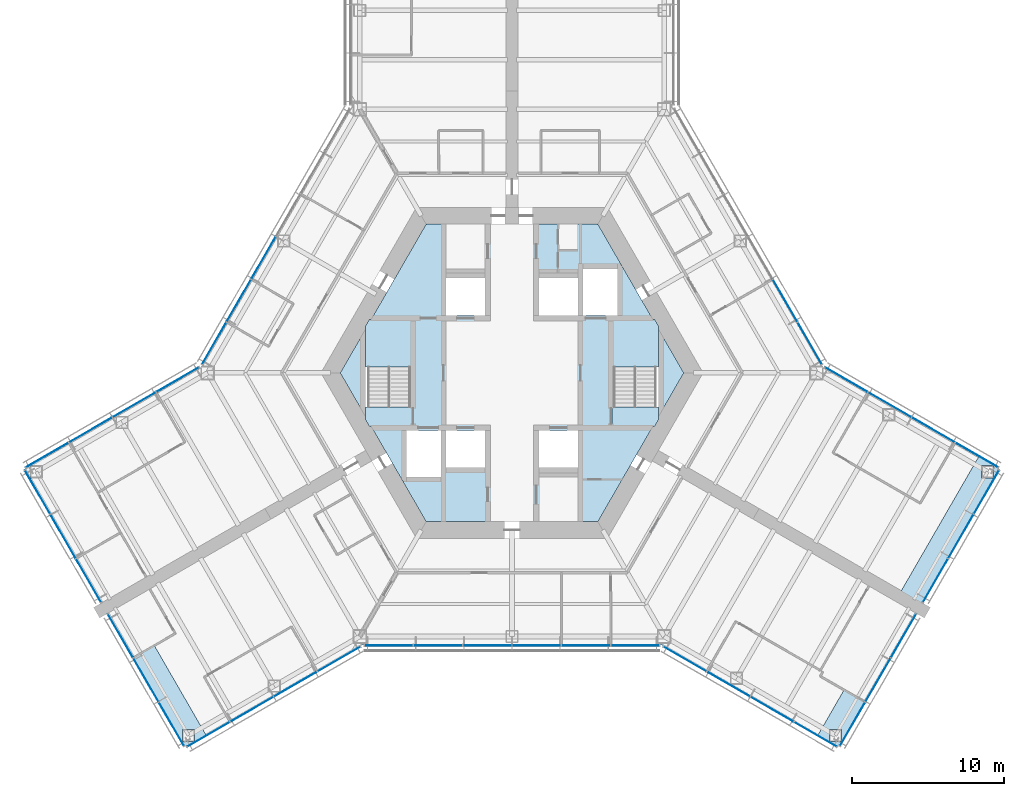
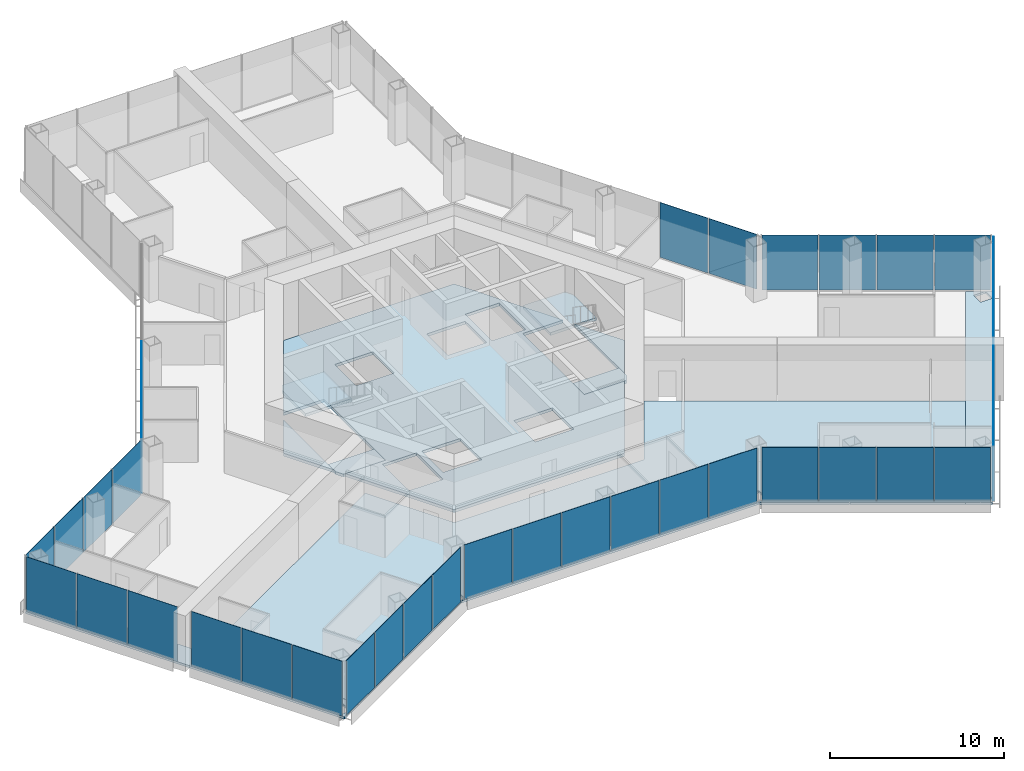
# One storey, part 10 of 18: 39 plates, 10 slabs, 13 elements without a shape of their own.
"""IFC4 building model written with IfcOpenShell, lengths in metres."""

from ifc_helpers import new_model, si_unit, direction, frame, origin, origin_2d, place, context, subcontext, project, spatial, polyline, rectangle, outline, extrude, material, layer, layer_set, type_object, element, aggregate, save


model = new_model("IFC4")

# Units and contexts
model_context = context("Model", 3, precision=1e-05, world=origin(), true_north=direction((0.0, 1.0)))
body_context = subcontext(model_context, "Body", "Model", "MODEL_VIEW")
ifc_project = project(units=[si_unit("LENGTHUNIT", "METRE"), si_unit("AREAUNIT", "SQUARE_METRE"), si_unit("VOLUMEUNIT", "CUBIC_METRE"), si_unit("PLANEANGLEUNIT", "RADIAN"), si_unit("MASSUNIT", "GRAM", prefix="KILO")], contexts=[model_context])

# Site, building, storey
site_placement = place(None, origin())
site = spatial("IfcSite", under=ifc_project, at=site_placement, CompositionType="ELEMENT")
building_placement = place(site_placement, origin())
building = spatial("IfcBuilding", under=site, at=building_placement, Name="Kasaneha Research Tower", CompositionType="ELEMENT")
storey_placement = place(building_placement, frame((0.0, 0.0, 108.0)))
storey = spatial("IfcBuildingStorey", under=building, at=storey_placement, Name="L27", CompositionType="ELEMENT", Elevation=108.0)

# Curtain wall, plates
ifc_material_1 = material(Name="Glass and aluminium", Category="aluminium")
curtain_wall_type = type_object("IfcCurtainWallType", Name="Low-rise office curtain wall", PredefinedType="USERDEFINED", material=ifc_material_1)
curtain_wall_1_placement = place(storey_placement, origin())
curtain_wall_1 = element("IfcCurtainWall", 1, at=curtain_wall_1_placement, inside=storey, type_object=curtain_wall_type, Name="CW-O1 L27 run 01a", ObjectType="UNITISED CURTAIN WALL", PredefinedType="USERDEFINED")
ifc_material_2 = material(Name="Laminated double glazing", Category="glass")
ifc_layer_1 = layer(ifc_material_2, 0.028076171875)
ifc_layer_set_1 = layer_set([ifc_layer_1], Name="CW-O1 glazed panel")
plate_type = type_object("IfcPlateType", Name="CW-O1 glazed panel", PredefinedType="CURTAIN_PANEL", material=ifc_layer_set_1)
plate_1_placement = place(storey_placement, frame((-19.945068359375, -23.755126953125, 0.06005859375), z_axis=(0.0, 0.0, 1.0), x_axis=(0.866025411464, 0.499999986699, 0.0)))
plate_1 = element("IfcPlate", 2, at=plate_1_placement, type_object=plate_type, Name="CW-O1 panel 1", PredefinedType="CURTAIN_PANEL", context=body_context, shape_type="SweptSolid", body=[
    extrude(rectangle(XDim=3.2197265625, YDim=0.028076171875, at=origin_2d()), origin(), (0.0, 0.0, 1.0), 3.840087890625),
])
plate_2_placement = place(storey_placement, frame((-17.091796875, -22.107666015625, 0.06005859375), z_axis=(0.0, 0.0, 1.0), x_axis=(0.866025411464, 0.499999986699, 0.0)))
plate_2 = element("IfcPlate", 3, at=plate_2_placement, type_object=plate_type, Name="CW-O1 panel 2", PredefinedType="CURTAIN_PANEL", context=body_context, shape_type="SweptSolid", body=[
    extrude(rectangle(XDim=3.249755859375, YDim=0.028076171875, at=origin_2d()), origin(), (0.0, 0.0, 1.0), 3.840087890625),
])
plate_3_placement = place(storey_placement, frame((-14.225341796875, -20.452880859375, 0.06005859375), z_axis=(0.0, 0.0, 1.0), x_axis=(0.866025411464, 0.499999986699, 0.0)))
plate_3 = element("IfcPlate", 4, at=plate_3_placement, type_object=plate_type, Name="CW-O1 panel 3", PredefinedType="CURTAIN_PANEL", context=body_context, shape_type="SweptSolid", body=[
    extrude(rectangle(XDim=3.249755859375, YDim=0.028076171875, at=origin_2d()), origin(), (0.0, 0.0, 1.0), 3.840087890625),
])
plate_4_placement = place(storey_placement, frame((-11.3720703125, -18.805419921875, 0.06005859375), z_axis=(0.0, 0.0, 1.0), x_axis=(0.866025411464, 0.499999986699, 0.0)))
plate_4 = element("IfcPlate", 5, at=plate_4_placement, type_object=plate_type, Name="CW-O1 panel 4", PredefinedType="CURTAIN_PANEL", context=body_context, shape_type="SweptSolid", body=[
    extrude(rectangle(XDim=3.2197265625, YDim=0.028076171875, at=origin_2d()), origin(), (0.0, 0.0, 1.0), 3.840087890625),
])
aggregate(curtain_wall_1, [plate_1, plate_2, plate_3, plate_4])

curtain_wall_2_placement = place(storey_placement, origin())
curtain_wall_2 = element("IfcCurtainWall", 6, at=curtain_wall_2_placement, inside=storey, type_object=curtain_wall_type, Name="CW-O1 L27 run 02a", ObjectType="UNITISED CURTAIN WALL", PredefinedType="USERDEFINED")
plate_5_placement = place(storey_placement, frame((-8.10107421875, -17.92041015625, 0.06005859375), z_axis=(0.0, 0.0, 1.0), x_axis=(1.0, 0.0, 0.0)))
plate_5 = element("IfcPlate", 7, at=plate_5_placement, type_object=plate_type, Name="CW-O1 panel 1", PredefinedType="CURTAIN_PANEL", context=body_context, shape_type="SweptSolid", body=[
    extrude(rectangle(XDim=3.156494140625, YDim=0.028076171875, at=origin_2d()), origin(), (0.0, 0.0, 1.0), 3.840087890625),
])
plate_6_placement = place(storey_placement, frame((-4.86962890625, -17.92041015625, 0.06005859375), z_axis=(0.0, 0.0, 1.0), x_axis=(1.0, 0.0, 0.0)))
plate_6 = element("IfcPlate", 8, at=plate_6_placement, type_object=plate_type, Name="CW-O1 panel 2", PredefinedType="CURTAIN_PANEL", context=body_context, shape_type="SweptSolid", body=[
    extrude(rectangle(XDim=3.1865234375, YDim=0.028076171875, at=origin_2d()), origin(), (0.0, 0.0, 1.0), 3.840087890625),
])
plate_7_placement = place(storey_placement, frame((-1.623291015625, -17.92041015625, 0.06005859375), z_axis=(0.0, 0.0, 1.0), x_axis=(1.0, 0.0, 0.0)))
plate_7 = element("IfcPlate", 9, at=plate_7_placement, type_object=plate_type, Name="CW-O1 panel 3", PredefinedType="CURTAIN_PANEL", context=body_context, shape_type="SweptSolid", body=[
    extrude(rectangle(XDim=3.1865234375, YDim=0.028076171875, at=origin_2d()), origin(), (0.0, 0.0, 1.0), 3.840087890625),
])
plate_8_placement = place(storey_placement, frame((1.623291015625, -17.92041015625, 0.06005859375), z_axis=(0.0, 0.0, 1.0), x_axis=(1.0, 0.0, 0.0)))
plate_8 = element("IfcPlate", 10, at=plate_8_placement, type_object=plate_type, Name="CW-O1 panel 4", PredefinedType="CURTAIN_PANEL", context=body_context, shape_type="SweptSolid", body=[
    extrude(rectangle(XDim=3.1865234375, YDim=0.028076171875, at=origin_2d()), origin(), (0.0, 0.0, 1.0), 3.840087890625),
])
plate_9_placement = place(storey_placement, frame((4.86962890625, -17.92041015625, 0.06005859375), z_axis=(0.0, 0.0, 1.0), x_axis=(1.0, 0.0, 0.0)))
plate_9 = element("IfcPlate", 11, at=plate_9_placement, type_object=plate_type, Name="CW-O1 panel 5", PredefinedType="CURTAIN_PANEL", context=body_context, shape_type="SweptSolid", body=[
    extrude(rectangle(XDim=3.1865234375, YDim=0.028076171875, at=origin_2d()), origin(), (0.0, 0.0, 1.0), 3.840087890625),
])
plate_10_placement = place(storey_placement, frame((8.10107421875, -17.92041015625, 0.06005859375), z_axis=(0.0, 0.0, 1.0), x_axis=(1.0, 0.0, 0.0)))
plate_10 = element("IfcPlate", 12, at=plate_10_placement, type_object=plate_type, Name="CW-O1 panel 6", PredefinedType="CURTAIN_PANEL", context=body_context, shape_type="SweptSolid", body=[
    extrude(rectangle(XDim=3.156494140625, YDim=0.028076171875, at=origin_2d()), origin(), (0.0, 0.0, 1.0), 3.840087890625),
])
aggregate(curtain_wall_2, [plate_5, plate_6, plate_7, plate_8, plate_9, plate_10])

curtain_wall_3_placement = place(storey_placement, origin())
curtain_wall_3 = element("IfcCurtainWall", 13, at=curtain_wall_3_placement, inside=storey, type_object=curtain_wall_type, Name="CW-O1 L27 run 03a", ObjectType="UNITISED CURTAIN WALL", PredefinedType="USERDEFINED")
plate_11_placement = place(storey_placement, frame((11.3720703125, -18.805419921875, 0.06005859375), z_axis=(0.0, 0.0, 1.0), x_axis=(0.866025411464, -0.499999986699, 0.0)))
plate_11 = element("IfcPlate", 14, at=plate_11_placement, type_object=plate_type, Name="CW-O1 panel 1", PredefinedType="CURTAIN_PANEL", context=body_context, shape_type="SweptSolid", body=[
    extrude(rectangle(XDim=3.2197265625, YDim=0.028076171875, at=origin_2d()), origin(), (0.0, 0.0, 1.0), 3.840087890625),
])
plate_12_placement = place(storey_placement, frame((14.225341796875, -20.452880859375, 0.06005859375), z_axis=(0.0, 0.0, 1.0), x_axis=(0.866025411464, -0.499999986699, 0.0)))
plate_12 = element("IfcPlate", 15, at=plate_12_placement, type_object=plate_type, Name="CW-O1 panel 2", PredefinedType="CURTAIN_PANEL", context=body_context, shape_type="SweptSolid", body=[
    extrude(rectangle(XDim=3.249755859375, YDim=0.028076171875, at=origin_2d()), origin(), (0.0, 0.0, 1.0), 3.840087890625),
])
plate_13_placement = place(storey_placement, frame((17.091796875, -22.107666015625, 0.06005859375), z_axis=(0.0, 0.0, 1.0), x_axis=(0.866025411464, -0.499999986699, 0.0)))
plate_13 = element("IfcPlate", 16, at=plate_13_placement, type_object=plate_type, Name="CW-O1 panel 3", PredefinedType="CURTAIN_PANEL", context=body_context, shape_type="SweptSolid", body=[
    extrude(rectangle(XDim=3.249755859375, YDim=0.028076171875, at=origin_2d()), origin(), (0.0, 0.0, 1.0), 3.840087890625),
])
plate_14_placement = place(storey_placement, frame((19.945068359375, -23.755126953125, 0.06005859375), z_axis=(0.0, 0.0, 1.0), x_axis=(0.866025411464, -0.499999986699, 0.0)))
plate_14 = element("IfcPlate", 17, at=plate_14_placement, type_object=plate_type, Name="CW-O1 panel 4", PredefinedType="CURTAIN_PANEL", context=body_context, shape_type="SweptSolid", body=[
    extrude(rectangle(XDim=3.2197265625, YDim=0.028076171875, at=origin_2d()), origin(), (0.0, 0.0, 1.0), 3.840087890625),
])
aggregate(curtain_wall_3, [plate_11, plate_12, plate_13, plate_14])

curtain_wall_4_placement = place(storey_placement, origin())
curtain_wall_4 = element("IfcCurtainWall", 18, at=curtain_wall_4_placement, inside=storey, type_object=curtain_wall_type, Name="CW-O1 L27 run 04a", ObjectType="UNITISED CURTAIN WALL", PredefinedType="USERDEFINED")
plate_15_placement = place(storey_placement, frame((22.377197265625, -23.082763671875, 0.06005859375), z_axis=(0.0, 0.0, 1.0), x_axis=(0.500000011442, 0.866025397178, 0.0)))
plate_15 = element("IfcPlate", 19, at=plate_15_placement, type_object=plate_type, Name="CW-O1 panel 1", PredefinedType="CURTAIN_PANEL", context=body_context, shape_type="SweptSolid", body=[
    extrude(rectangle(XDim=3.276611328125, YDim=0.028076171875, at=origin_2d()), origin(), (0.0, 0.0, 1.0), 3.840087890625),
])
plate_16_placement = place(storey_placement, frame((24.052978515625, -20.18017578125, 0.06005859375), z_axis=(0.0, 0.0, 1.0), x_axis=(0.500000011442, 0.866025397178, 0.0)))
plate_16 = element("IfcPlate", 20, at=plate_16_placement, type_object=plate_type, Name="CW-O1 panel 2", PredefinedType="CURTAIN_PANEL", context=body_context, shape_type="SweptSolid", body=[
    extrude(rectangle(XDim=3.306640625, YDim=0.028076171875, at=origin_2d()), origin(), (0.0, 0.0, 1.0), 3.840087890625),
])
plate_17_placement = place(storey_placement, frame((25.728759765625, -17.27734375, 0.06005859375), z_axis=(0.0, 0.0, 1.0), x_axis=(0.500000011442, 0.866025397178, 0.0)))
plate_17 = element("IfcPlate", 21, at=plate_17_placement, type_object=plate_type, Name="CW-O1 panel 3", PredefinedType="CURTAIN_PANEL", context=body_context, shape_type="SweptSolid", body=[
    extrude(rectangle(XDim=3.276611328125, YDim=0.028076171875, at=origin_2d()), origin(), (0.0, 0.0, 1.0), 3.840087890625),
])
aggregate(curtain_wall_4, [plate_15, plate_16, plate_17])

curtain_wall_5_placement = place(storey_placement, origin())
curtain_wall_5 = element("IfcCurtainWall", 22, at=curtain_wall_5_placement, inside=storey, type_object=curtain_wall_type, Name="CW-O1 L27 run 05a", ObjectType="UNITISED CURTAIN WALL", PredefinedType="USERDEFINED")
plate_18_placement = place(storey_placement, frame((27.8271484375, -13.64306640625, 0.06005859375), z_axis=(0.0, 0.0, 1.0), x_axis=(0.500000011442, 0.866025397178, 0.0)))
plate_18 = element("IfcPlate", 23, at=plate_18_placement, type_object=plate_type, Name="CW-O1 panel 1", PredefinedType="CURTAIN_PANEL", context=body_context, shape_type="SweptSolid", body=[
    extrude(rectangle(XDim=3.276611328125, YDim=0.028076171875, at=origin_2d()), origin(), (0.0, 0.0, 1.0), 3.840087890625),
])
plate_19_placement = place(storey_placement, frame((29.5029296875, -10.740478515625, 0.06005859375), z_axis=(0.0, 0.0, 1.0), x_axis=(0.500000011442, 0.866025397178, 0.0)))
plate_19 = element("IfcPlate", 24, at=plate_19_placement, type_object=plate_type, Name="CW-O1 panel 2", PredefinedType="CURTAIN_PANEL", context=body_context, shape_type="SweptSolid", body=[
    extrude(rectangle(XDim=3.306640625, YDim=0.028076171875, at=origin_2d()), origin(), (0.0, 0.0, 1.0), 3.840087890625),
])
plate_20_placement = place(storey_placement, frame((31.1787109375, -7.837890625, 0.06005859375), z_axis=(0.0, 0.0, 1.0), x_axis=(0.500000011442, 0.866025397178, 0.0)))
plate_20 = element("IfcPlate", 25, at=plate_20_placement, type_object=plate_type, Name="CW-O1 panel 3", PredefinedType="CURTAIN_PANEL", context=body_context, shape_type="SweptSolid", body=[
    extrude(rectangle(XDim=3.276611328125, YDim=0.028076171875, at=origin_2d()), origin(), (0.0, 0.0, 1.0), 3.840087890625),
])
aggregate(curtain_wall_5, [plate_18, plate_19, plate_20])

curtain_wall_6_placement = place(storey_placement, origin())
curtain_wall_6 = element("IfcCurtainWall", 26, at=curtain_wall_6_placement, inside=storey, type_object=curtain_wall_type, Name="CW-O1 L27 run 06a", ObjectType="UNITISED CURTAIN WALL", PredefinedType="USERDEFINED")
plate_21_placement = place(storey_placement, frame((30.545166015625, -5.3955078125, 0.06005859375), z_axis=(0.0, 0.0, 1.0), x_axis=(-0.866025411464, 0.499999986699, 0.0)))
plate_21 = element("IfcPlate", 27, at=plate_21_placement, type_object=plate_type, Name="CW-O1 panel 1", PredefinedType="CURTAIN_PANEL", context=body_context, shape_type="SweptSolid", body=[
    extrude(rectangle(XDim=3.2197265625, YDim=0.028076171875, at=origin_2d()), origin(), (0.0, 0.0, 1.0), 3.840087890625),
])
plate_22_placement = place(storey_placement, frame((27.69189453125, -3.748046875, 0.06005859375), z_axis=(0.0, 0.0, 1.0), x_axis=(-0.866025411464, 0.499999986699, 0.0)))
plate_22 = element("IfcPlate", 28, at=plate_22_placement, type_object=plate_type, Name="CW-O1 panel 2", PredefinedType="CURTAIN_PANEL", context=body_context, shape_type="SweptSolid", body=[
    extrude(rectangle(XDim=3.249755859375, YDim=0.028076171875, at=origin_2d()), origin(), (0.0, 0.0, 1.0), 3.840087890625),
])
plate_23_placement = place(storey_placement, frame((24.825439453125, -2.093017578125, 0.06005859375), z_axis=(0.0, 0.0, 1.0), x_axis=(-0.866025411464, 0.499999986699, 0.0)))
plate_23 = element("IfcPlate", 29, at=plate_23_placement, type_object=plate_type, Name="CW-O1 panel 3", PredefinedType="CURTAIN_PANEL", context=body_context, shape_type="SweptSolid", body=[
    extrude(rectangle(XDim=3.249755859375, YDim=0.028076171875, at=origin_2d()), origin(), (0.0, 0.0, 1.0), 3.840087890625),
])
plate_24_placement = place(storey_placement, frame((21.971923828125, -0.44580078125, 0.06005859375), z_axis=(0.0, 0.0, 1.0), x_axis=(-0.866025411464, 0.499999986699, 0.0)))
plate_24 = element("IfcPlate", 30, at=plate_24_placement, type_object=plate_type, Name="CW-O1 panel 4", PredefinedType="CURTAIN_PANEL", context=body_context, shape_type="SweptSolid", body=[
    extrude(rectangle(XDim=3.2197265625, YDim=0.028076171875, at=origin_2d()), origin(), (0.0, 0.0, 1.0), 3.840087890625),
])
aggregate(curtain_wall_6, [plate_21, plate_22, plate_23, plate_24])

curtain_wall_7_placement = place(storey_placement, origin())
curtain_wall_7 = element("IfcCurtainWall", 31, at=curtain_wall_7_placement, inside=storey, type_object=curtain_wall_type, Name="CW-O1 L27 run 07a", ObjectType="UNITISED CURTAIN WALL", PredefinedType="USERDEFINED")
plate_25_placement = place(storey_placement, frame((19.570068359375, 1.944580078125, 0.06005859375), z_axis=(0.0, 0.0, 1.0), x_axis=(-0.49999996188, 0.866025425793, 0.0)))
plate_25 = element("IfcPlate", 32, at=plate_25_placement, type_object=plate_type, Name="CW-O1 panel 1", PredefinedType="CURTAIN_PANEL", context=body_context, shape_type="SweptSolid", body=[
    extrude(rectangle(XDim=3.156494140625, YDim=0.028076171875, at=origin_2d()), origin(), (0.0, 0.0, 1.0), 3.840087890625),
])
plate_26_placement = place(storey_placement, frame((17.954345703125, 4.7431640625, 0.06005859375), z_axis=(0.0, 0.0, 1.0), x_axis=(-0.49999996188, 0.866025425793, 0.0)))
plate_26 = element("IfcPlate", 33, at=plate_26_placement, type_object=plate_type, Name="CW-O1 panel 2", PredefinedType="CURTAIN_PANEL", context=body_context, shape_type="SweptSolid", body=[
    extrude(rectangle(XDim=3.1865234375, YDim=0.028076171875, at=origin_2d()), origin(), (0.0, 0.0, 1.0), 3.840087890625),
])
aggregate(curtain_wall_7, [plate_25, plate_26])

curtain_wall_8_placement = place(storey_placement, origin())
curtain_wall_8 = element("IfcCurtainWall", 34, at=curtain_wall_8_placement, inside=storey, type_object=curtain_wall_type, Name="CW-O1 L27 run 12a", ObjectType="UNITISED CURTAIN WALL", PredefinedType="USERDEFINED")
plate_27_placement = place(storey_placement, frame((-16.331298828125, 7.554443359375, 0.06005859375), z_axis=(0.0, 0.0, 1.0), x_axis=(-0.49999996188, -0.866025425793, 0.0)))
plate_27 = element("IfcPlate", 35, at=plate_27_placement, type_object=plate_type, Name="CW-O1 panel 4", PredefinedType="CURTAIN_PANEL", context=body_context, shape_type="SweptSolid", body=[
    extrude(rectangle(XDim=3.1865234375, YDim=0.028076171875, at=origin_2d()), origin(), (0.0, 0.0, 1.0), 3.840087890625),
])
plate_28_placement = place(storey_placement, frame((-17.954345703125, 4.7431640625, 0.06005859375), z_axis=(0.0, 0.0, 1.0), x_axis=(-0.49999996188, -0.866025425793, 0.0)))
plate_28 = element("IfcPlate", 36, at=plate_28_placement, type_object=plate_type, Name="CW-O1 panel 5", PredefinedType="CURTAIN_PANEL", context=body_context, shape_type="SweptSolid", body=[
    extrude(rectangle(XDim=3.1865234375, YDim=0.028076171875, at=origin_2d()), origin(), (0.0, 0.0, 1.0), 3.840087890625),
])
plate_29_placement = place(storey_placement, frame((-19.570068359375, 1.944580078125, 0.06005859375), z_axis=(0.0, 0.0, 1.0), x_axis=(-0.49999996188, -0.866025425793, 0.0)))
plate_29 = element("IfcPlate", 37, at=plate_29_placement, type_object=plate_type, Name="CW-O1 panel 6", PredefinedType="CURTAIN_PANEL", context=body_context, shape_type="SweptSolid", body=[
    extrude(rectangle(XDim=3.156494140625, YDim=0.028076171875, at=origin_2d()), origin(), (0.0, 0.0, 1.0), 3.840087890625),
])
aggregate(curtain_wall_8, [plate_27, plate_28, plate_29])

curtain_wall_9_placement = place(storey_placement, origin())
curtain_wall_9 = element("IfcCurtainWall", 38, at=curtain_wall_9_placement, inside=storey, type_object=curtain_wall_type, Name="CW-O1 L27 run 13a", ObjectType="UNITISED CURTAIN WALL", PredefinedType="USERDEFINED")
plate_30_placement = place(storey_placement, frame((-21.971923828125, -0.44580078125, 0.06005859375), z_axis=(0.0, 0.0, 1.0), x_axis=(-0.866025411464, -0.499999986699, 0.0)))
plate_30 = element("IfcPlate", 39, at=plate_30_placement, type_object=plate_type, Name="CW-O1 panel 1", PredefinedType="CURTAIN_PANEL", context=body_context, shape_type="SweptSolid", body=[
    extrude(rectangle(XDim=3.2197265625, YDim=0.028076171875, at=origin_2d()), origin(), (0.0, 0.0, 1.0), 3.840087890625),
])
plate_31_placement = place(storey_placement, frame((-24.825439453125, -2.093017578125, 0.06005859375), z_axis=(0.0, 0.0, 1.0), x_axis=(-0.866025411464, -0.499999986699, 0.0)))
plate_31 = element("IfcPlate", 40, at=plate_31_placement, type_object=plate_type, Name="CW-O1 panel 2", PredefinedType="CURTAIN_PANEL", context=body_context, shape_type="SweptSolid", body=[
    extrude(rectangle(XDim=3.249755859375, YDim=0.028076171875, at=origin_2d()), origin(), (0.0, 0.0, 1.0), 3.840087890625),
])
plate_32_placement = place(storey_placement, frame((-27.69189453125, -3.748046875, 0.06005859375), z_axis=(0.0, 0.0, 1.0), x_axis=(-0.866025411464, -0.499999986699, 0.0)))
plate_32 = element("IfcPlate", 41, at=plate_32_placement, type_object=plate_type, Name="CW-O1 panel 3", PredefinedType="CURTAIN_PANEL", context=body_context, shape_type="SweptSolid", body=[
    extrude(rectangle(XDim=3.249755859375, YDim=0.028076171875, at=origin_2d()), origin(), (0.0, 0.0, 1.0), 3.840087890625),
])
plate_33_placement = place(storey_placement, frame((-30.545166015625, -5.3955078125, 0.06005859375), z_axis=(0.0, 0.0, 1.0), x_axis=(-0.866025411464, -0.499999986699, 0.0)))
plate_33 = element("IfcPlate", 42, at=plate_33_placement, type_object=plate_type, Name="CW-O1 panel 4", PredefinedType="CURTAIN_PANEL", context=body_context, shape_type="SweptSolid", body=[
    extrude(rectangle(XDim=3.2197265625, YDim=0.028076171875, at=origin_2d()), origin(), (0.0, 0.0, 1.0), 3.840087890625),
])
aggregate(curtain_wall_9, [plate_30, plate_31, plate_32, plate_33])

curtain_wall_10_placement = place(storey_placement, origin())
curtain_wall_10 = element("IfcCurtainWall", 43, at=curtain_wall_10_placement, inside=storey, type_object=curtain_wall_type, Name="CW-O1 L27 run 14a", ObjectType="UNITISED CURTAIN WALL", PredefinedType="USERDEFINED")
plate_34_placement = place(storey_placement, frame((-31.1787109375, -7.837890625, 0.06005859375), z_axis=(0.0, 0.0, 1.0), x_axis=(0.500000011442, -0.866025397178, 0.0)))
plate_34 = element("IfcPlate", 44, at=plate_34_placement, type_object=plate_type, Name="CW-O1 panel 1", PredefinedType="CURTAIN_PANEL", context=body_context, shape_type="SweptSolid", body=[
    extrude(rectangle(XDim=3.276611328125, YDim=0.028076171875, at=origin_2d()), origin(), (0.0, 0.0, 1.0), 3.840087890625),
])
plate_35_placement = place(storey_placement, frame((-29.5029296875, -10.740478515625, 0.06005859375), z_axis=(0.0, 0.0, 1.0), x_axis=(0.500000011442, -0.866025397178, 0.0)))
plate_35 = element("IfcPlate", 45, at=plate_35_placement, type_object=plate_type, Name="CW-O1 panel 2", PredefinedType="CURTAIN_PANEL", context=body_context, shape_type="SweptSolid", body=[
    extrude(rectangle(XDim=3.306640625, YDim=0.028076171875, at=origin_2d()), origin(), (0.0, 0.0, 1.0), 3.840087890625),
])
plate_36_placement = place(storey_placement, frame((-27.8271484375, -13.64306640625, 0.06005859375), z_axis=(0.0, 0.0, 1.0), x_axis=(0.500000011442, -0.866025397178, 0.0)))
plate_36 = element("IfcPlate", 46, at=plate_36_placement, type_object=plate_type, Name="CW-O1 panel 3", PredefinedType="CURTAIN_PANEL", context=body_context, shape_type="SweptSolid", body=[
    extrude(rectangle(XDim=3.276611328125, YDim=0.028076171875, at=origin_2d()), origin(), (0.0, 0.0, 1.0), 3.840087890625),
])
aggregate(curtain_wall_10, [plate_34, plate_35, plate_36])

curtain_wall_11_placement = place(storey_placement, origin())
curtain_wall_11 = element("IfcCurtainWall", 47, at=curtain_wall_11_placement, inside=storey, type_object=curtain_wall_type, Name="CW-O1 L27 run 15a", ObjectType="UNITISED CURTAIN WALL", PredefinedType="USERDEFINED")
plate_37_placement = place(storey_placement, frame((-25.728759765625, -17.27734375, 0.06005859375), z_axis=(0.0, 0.0, 1.0), x_axis=(0.500000011442, -0.866025397178, 0.0)))
plate_37 = element("IfcPlate", 48, at=plate_37_placement, type_object=plate_type, Name="CW-O1 panel 1", PredefinedType="CURTAIN_PANEL", context=body_context, shape_type="SweptSolid", body=[
    extrude(rectangle(XDim=3.276611328125, YDim=0.028076171875, at=origin_2d()), origin(), (0.0, 0.0, 1.0), 3.840087890625),
])
plate_38_placement = place(storey_placement, frame((-24.052978515625, -20.18017578125, 0.06005859375), z_axis=(0.0, 0.0, 1.0), x_axis=(0.500000011442, -0.866025397178, 0.0)))
plate_38 = element("IfcPlate", 49, at=plate_38_placement, type_object=plate_type, Name="CW-O1 panel 2", PredefinedType="CURTAIN_PANEL", context=body_context, shape_type="SweptSolid", body=[
    extrude(rectangle(XDim=3.306640625, YDim=0.028076171875, at=origin_2d()), origin(), (0.0, 0.0, 1.0), 3.840087890625),
])
plate_39_placement = place(storey_placement, frame((-22.377197265625, -23.082763671875, 0.06005859375), z_axis=(0.0, 0.0, 1.0), x_axis=(0.500000011442, -0.866025397178, 0.0)))
plate_39 = element("IfcPlate", 50, at=plate_39_placement, type_object=plate_type, Name="CW-O1 panel 3", PredefinedType="CURTAIN_PANEL", context=body_context, shape_type="SweptSolid", body=[
    extrude(rectangle(XDim=3.276611328125, YDim=0.028076171875, at=origin_2d()), origin(), (0.0, 0.0, 1.0), 3.840087890625),
])
aggregate(curtain_wall_11, [plate_37, plate_38, plate_39])

# Slabs
ifc_material_3 = material(Name="Concrete Fc24", Category="concrete")
ifc_layer_2 = layer(ifc_material_3, 0.199951171875)
ifc_layer_set_2 = layer_set([ifc_layer_2], Name="Core floor slab 200")
slab_type_1 = type_object("IfcSlabType", Name="Core floor slab 200", PredefinedType="FLOOR", material=ifc_layer_set_2)
slab_1_placement = place(storey_placement, frame((0.0, 0.0, -0.199951171875)))
element("IfcSlab", 51, at=slab_1_placement, inside=storey, type_object=slab_type_1, Name="Core slab L27", PredefinedType="FLOOR", context=body_context, shape_type="SweptSolid", body=[
    extrude(outline(polyline([(-11.287109375, 0.0), (-9.625, 2.87890625), (-9.625, -2.87890625), (-11.287109375, 0.0)])), origin(), (0.0, 0.0, 1.0), 0.199951171875),
])
slab_2_placement = place(storey_placement, frame((0.0, 0.0, -0.199951171875)))
element("IfcSlab", 52, at=slab_2_placement, inside=storey, type_object=slab_type_1, Name="Core slab L27", PredefinedType="FLOOR", context=body_context, shape_type="SweptSolid", body=[
    extrude(outline(polyline([(-5.6435546875, 9.77490234375), (5.6435546875, 9.77490234375), (9.251953125, 3.52490234375), (6.574951171875, 3.52490234375), (6.574951171875, -3.52490234375), (9.251953125, -3.52490234375), (5.6435546875, -9.77490234375), (-5.6435546875, -9.77490234375), (-9.251953125, -3.52490234375), (-6.574951171875, -3.52490234375), (-6.574951171875, 3.52490234375), (-9.251953125, 3.52490234375), (-5.6435546875, 9.77490234375)]), holes=[polyline([(-6.925048828125, -3.77490234375), (-6.925048828125, -6.824951171875), (-4.675048828125, -6.824951171875), (-4.675048828125, -3.77490234375), (-6.925048828125, -3.77490234375)]), polyline([(-4.324951171875, -3.77490234375), (-4.324951171875, -6.22509765625), (-1.77490234375, -6.22509765625), (-1.77490234375, -3.77490234375), (-4.324951171875, -3.77490234375)]), polyline([(1.77490234375, -3.77490234375), (1.77490234375, -6.22509765625), (4.324951171875, -6.22509765625), (4.324951171875, -3.77490234375), (1.77490234375, -3.77490234375)]), polyline([(-4.324951171875, 6.22509765625), (-4.324951171875, 3.77490234375), (-1.77490234375, 3.77490234375), (-1.77490234375, 6.22509765625), (-4.324951171875, 6.22509765625)]), polyline([(1.77490234375, 6.22509765625), (1.77490234375, 3.77490234375), (4.324951171875, 3.77490234375), (4.324951171875, 6.22509765625), (1.77490234375, 6.22509765625)]), polyline([(4.675048828125, 6.824951171875), (4.675048828125, 3.77490234375), (6.925048828125, 3.77490234375), (6.925048828125, 6.824951171875), (4.675048828125, 6.824951171875)])]), origin(), (0.0, 0.0, 1.0), 0.199951171875),
])
slab_3_placement = place(storey_placement, frame((0.0, 0.0, -0.199951171875)))
element("IfcSlab", 53, at=slab_3_placement, inside=storey, type_object=slab_type_1, Name="Core slab L27", PredefinedType="FLOOR", context=body_context, shape_type="SweptSolid", body=[
    extrude(outline(polyline([(11.287109375, 0.0), (9.625, -2.87890625), (9.625, 2.87890625), (11.287109375, 0.0)])), origin(), (0.0, 0.0, 1.0), 0.199951171875),
])
ifc_material_4 = material(Name="Concrete Fc24", Category="concrete")
ifc_layer_3 = layer(ifc_material_4, 0.14990234375)
ifc_layer_set_3 = layer_set([ifc_layer_3], Name="Floor slab 150")
slab_type_2 = type_object("IfcSlabType", Name="Floor slab 150", PredefinedType="FLOOR", material=ifc_layer_set_3)
slab_4_placement = place(storey_placement, frame((0.0, 0.0, -0.14990234375)))
element("IfcSlab", 54, at=slab_4_placement, inside=storey, type_object=slab_type_2, Name="Floor slab L27 1", PredefinedType="FLOOR", context=body_context, shape_type="SweptSolid", body=[
    extrude(outline(polyline([(-25.1923828125, -15.006591796875), (-25.18359375, -15.001708984375), (-20.108642578125, -23.791748046875), (-21.459716796875, -24.57177734375), (-21.65576171875, -24.232177734375), (-21.644287109375, -24.220703125), (-20.858154296875, -24.220703125), (-20.858154296875, -23.42041015625), (-21.658447265625, -23.42041015625), (-21.658447265625, -24.20654296875), (-21.666015625, -24.214111328125), (-31.65576171875, -6.91162109375), (-31.644287109375, -6.900146484375), (-30.858154296875, -6.900146484375), (-30.858154296875, -6.099853515625), (-31.658447265625, -6.099853515625), (-31.658447265625, -6.885986328125), (-31.666015625, -6.8935546875), (-32.009521484375, -6.298583984375), (-30.65869140625, -5.518798828125), (-25.583740234375, -14.308837890625), (-25.59228515625, -14.313720703125), (-25.1923828125, -15.006591796875)])), origin(), (0.0, 0.0, 1.0), 0.14990234375),
])
slab_5_placement = place(storey_placement, frame((0.0, 0.0, -0.14990234375)))
element("IfcSlab", 55, at=slab_5_placement, inside=storey, type_object=slab_type_2, Name="Floor slab L27 4", PredefinedType="FLOOR", context=body_context, shape_type="SweptSolid", body=[
    extrude(outline(polyline([(-6.278564453125, -10.875), (6.278564453125, -10.875), (9.218017578125, -5.783935546875), (25.18359375, -15.001708984375), (20.108642578125, -23.791748046875), (14.369384765625, -20.478271484375), (14.377197265625, -20.470703125), (15.163330078125, -20.470703125), (15.163330078125, -19.67041015625), (14.363037109375, -19.67041015625), (14.363037109375, -20.45654296875), (14.3515625, -20.468017578125), (9.8525390625, -17.87060546875), (-9.8525390625, -17.87060546875), (-15.217529296875, -20.968017578125), (-15.22900390625, -20.95654296875), (-15.22900390625, -20.17041015625), (-16.029296875, -20.17041015625), (-16.029296875, -20.970703125), (-15.2431640625, -20.970703125), (-15.235595703125, -20.978271484375), (-20.108642578125, -23.791748046875), (-25.18359375, -15.001708984375), (-9.218017578125, -5.783935546875), (-6.278564453125, -10.875)]), holes=[polyline([(0.39990234375, -17.720458984375), (0.39990234375, -16.92041015625), (-0.39990234375, -16.92041015625), (-0.39990234375, -17.720458984375), (0.39990234375, -17.720458984375)]), polyline([(-9.550048828125, -16.87060546875), (-10.449951171875, -16.87060546875), (-10.449951171875, -17.7705078125), (-9.550048828125, -17.7705078125), (-9.550048828125, -16.87060546875)]), polyline([(10.449951171875, -16.87060546875), (9.550048828125, -16.87060546875), (9.550048828125, -17.7705078125), (10.449951171875, -17.7705078125), (10.449951171875, -16.87060546875)])]), origin(), (0.0, 0.0, 1.0), 0.14990234375),
])
slab_6_placement = place(storey_placement, frame((0.0, 0.0, -0.14990234375)))
element("IfcSlab", 56, at=slab_6_placement, inside=storey, type_object=slab_type_2, Name="Floor slab L27 6", PredefinedType="FLOOR", context=body_context, shape_type="SweptSolid", body=[
    extrude(outline(polyline([(25.1923828125, -15.006591796875), (25.59228515625, -14.313720703125), (25.583740234375, -14.308837890625), (30.65869140625, -5.518798828125), (32.009521484375, -6.298583984375), (31.666015625, -6.8935546875), (31.658447265625, -6.885986328125), (31.658447265625, -6.099853515625), (30.858154296875, -6.099853515625), (30.858154296875, -6.900146484375), (31.644287109375, -6.900146484375), (31.65576171875, -6.91162109375), (21.666015625, -24.214111328125), (21.658447265625, -24.20654296875), (21.658447265625, -23.42041015625), (20.858154296875, -23.42041015625), (20.858154296875, -24.220703125), (21.644287109375, -24.220703125), (21.65576171875, -24.232177734375), (21.459716796875, -24.57177734375), (20.108642578125, -23.791748046875), (25.18359375, -15.001708984375), (25.1923828125, -15.006591796875)])), origin(), (0.0, 0.0, 1.0), 0.14990234375),
])

# Stair, slabs
ifc_material_5 = material(Name="Concrete Fc24", Category="concrete")
stair_type = type_object("IfcStairType", Name="Half-turn stair 22 risers", PredefinedType="HALF_TURN_STAIR", material=ifc_material_5)
stair_1_placement = place(storey_placement, origin())
stair_1 = element("IfcStair", 57, at=stair_1_placement, inside=storey, type_object=stair_type, Name="Stair 1 L27", PredefinedType="HALF_TURN_STAIR")
ifc_material_6 = material(Name="Concrete Fc24", Category="concrete")
ifc_layer_4 = layer(ifc_material_6, 0.199951171875)
ifc_layer_set_4 = layer_set([ifc_layer_4], Name="Stair 1 landing 200")
slab_type_3 = type_object("IfcSlabType", Name="Stair 1 landing 200", PredefinedType="LANDING", material=ifc_layer_set_4)
slab_7_placement = place(storey_placement, frame((0.0, 0.0, -0.199951171875)))
slab_7 = element("IfcSlab", 58, at=slab_7_placement, type_object=slab_type_3, Name="ST1-22R landing 1", PredefinedType="LANDING", context=body_context, shape_type="SweptSolid", body=[
    extrude(outline(polyline([(9.367431640625, -3.52490234375), (6.574951171875, -3.52490234375), (6.574951171875, -2.22509765625), (9.625, -2.22509765625), (9.625, -3.0791015625), (9.367431640625, -3.52490234375)])), origin(), (0.0, 0.0, 1.0), 0.199951171875),
])
slab_8_placement = place(storey_placement, frame((0.0, 0.0, 1.75)))
slab_8 = element("IfcSlab", 59, at=slab_8_placement, type_object=slab_type_3, Name="ST1-22R landing 2", PredefinedType="LANDING", context=body_context, shape_type="SweptSolid", body=[
    extrude(outline(polyline([(6.574951171875, 3.52490234375), (9.367431640625, 3.52490234375), (9.625, 3.0791015625), (9.625, 0.375), (6.574951171875, 0.375), (6.574951171875, 3.52490234375)])), origin(), (0.0, 0.0, 1.0), 0.199951171875),
])
aggregate(stair_1, [slab_7, slab_8])

stair_2_placement = place(storey_placement, origin())
stair_2 = element("IfcStair", 60, at=stair_2_placement, inside=storey, type_object=stair_type, Name="Stair 2 L27", PredefinedType="HALF_TURN_STAIR")
ifc_material_7 = material(Name="Concrete Fc24", Category="concrete")
ifc_layer_5 = layer(ifc_material_7, 0.199951171875)
ifc_layer_set_5 = layer_set([ifc_layer_5], Name="Stair 2 landing 200")
slab_type_4 = type_object("IfcSlabType", Name="Stair 2 landing 200", PredefinedType="LANDING", material=ifc_layer_set_5)
slab_9_placement = place(storey_placement, frame((0.0, 0.0, -0.199951171875)))
slab_9 = element("IfcSlab", 61, at=slab_9_placement, type_object=slab_type_4, Name="ST2-22R landing 1", PredefinedType="LANDING", context=body_context, shape_type="SweptSolid", body=[
    extrude(outline(polyline([(-6.574951171875, -3.52490234375), (-9.367431640625, -3.52490234375), (-9.625, -3.0791015625), (-9.625, -2.22509765625), (-6.574951171875, -2.22509765625), (-6.574951171875, -3.52490234375)])), origin(), (0.0, 0.0, 1.0), 0.199951171875),
])
slab_10_placement = place(storey_placement, frame((0.0, 0.0, 1.75)))
slab_10 = element("IfcSlab", 62, at=slab_10_placement, type_object=slab_type_4, Name="ST2-22R landing 2", PredefinedType="LANDING", context=body_context, shape_type="SweptSolid", body=[
    extrude(outline(polyline([(-6.574951171875, 0.375), (-9.625, 0.375), (-9.625, 3.0791015625), (-9.367431640625, 3.52490234375), (-6.574951171875, 3.52490234375), (-6.574951171875, 0.375)])), origin(), (0.0, 0.0, 1.0), 0.199951171875),
])
aggregate(stair_2, [slab_9, slab_10])

save(model, "model.ifc")
